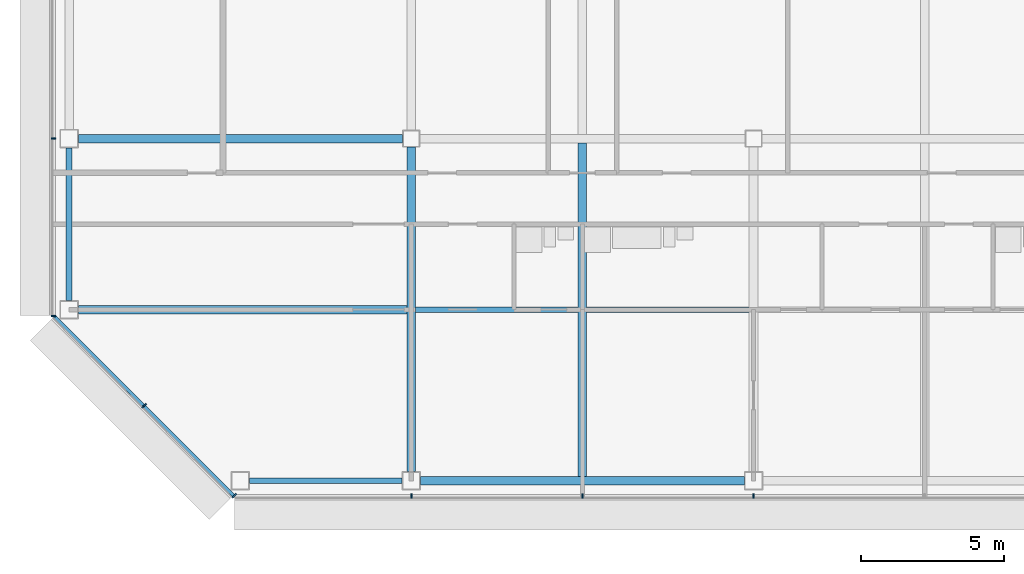
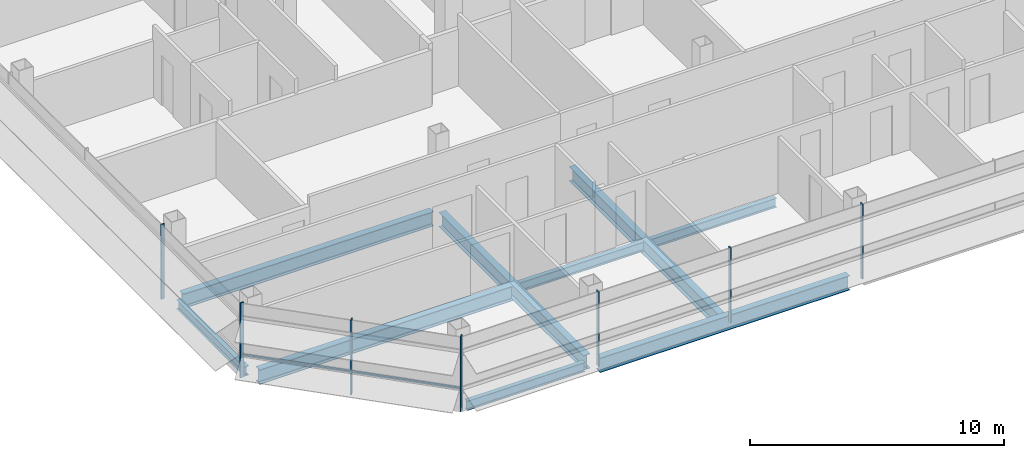
# One storey, part 2 of 27: 9 beams, 8 members, 3 elements without a shape of their own.
"""IFC4 building model written with IfcOpenShell, lengths in metres."""

from ifc_helpers import new_model, si_unit, direction, frame, origin, origin_2d, place, context, subcontext, project, spatial, rectangle, i_section, extrude, material, material_profile, profile_set, type_object, element, aggregate, save


model = new_model("IFC4")

# Units and contexts
model_context = context("Model", 3, precision=1e-05, world=origin(), true_north=direction((0.0, 1.0)))
body_context = subcontext(model_context, "Body", "Model", "MODEL_VIEW")
ifc_project = project(units=[si_unit("LENGTHUNIT", "METRE"), si_unit("AREAUNIT", "SQUARE_METRE"), si_unit("VOLUMEUNIT", "CUBIC_METRE"), si_unit("PLANEANGLEUNIT", "RADIAN"), si_unit("MASSUNIT", "GRAM", prefix="KILO")], contexts=[model_context])

# Site, building, storey
site_placement = place(None, origin())
site = spatial("IfcSite", under=ifc_project, at=site_placement, CompositionType="ELEMENT")
building_placement = place(site_placement, origin())
building = spatial("IfcBuilding", under=site, at=building_placement, Name="Sorahane Residences", CompositionType="ELEMENT")
storey_placement = place(building_placement, frame((0.0, 0.0, 226.199951171875)))
storey = spatial("IfcBuildingStorey", under=building, at=storey_placement, Name="L53", CompositionType="ELEMENT", Elevation=226.199951171875)

# Curtain wall, members
ifc_material_1 = material(Name="Dark low-e glass and black anodised aluminium", Category="aluminium")
curtain_wall_type_1 = type_object("IfcCurtainWallType", Name="Curtain wall CW-1 Typical unitised wall", PredefinedType="NOTDEFINED", material=ifc_material_1)
curtain_wall_1_placement = place(storey_placement, origin())
curtain_wall_1 = element("IfcCurtainWall", 1, at=curtain_wall_1_placement, inside=storey, type_object=curtain_wall_type_1, Name="CW-1 curtain wall L53 S1", PredefinedType="NOTDEFINED")
ifc_material_2 = material(Name="Black anodised aluminium", Category="aluminium")
ifc_material_profile_1 = material_profile(ifc_material_2, rectangle(XDim=0.159912109375, YDim=0.050048828125, at=origin_2d()), Name="Curtain wall mullion CW-1 black anodised aluminium 50x160")
ifc_profile_set_1 = profile_set([ifc_material_profile_1], Name="Black anodised aluminium")
member_type_1 = type_object("IfcMemberType", Name="Curtain wall mullion CW-1 black anodised aluminium 50x160", PredefinedType="MULLION", material=ifc_profile_set_1)
member_1_placement = place(storey_placement, frame((0.0, -0.5400390625, -0.179931640625), z_axis=(0.0, 0.0, 1.0), x_axis=(0.0, -1.0, 0.0)))
member_1 = element("IfcMember", 2, at=member_1_placement, type_object=member_type_1, Name="CW-1 mullion L53 S1.2", PredefinedType="MULLION", context=body_context, shape_type="SweptSolid", body=[
    extrude(rectangle(XDim=0.159912109375, YDim=0.050048828125, at=origin_2d()), origin(), (0.0, 0.0, 1.0), 3.60009765625),
])
member_2_placement = place(storey_placement, frame((6.0, -0.5400390625, -0.179931640625), z_axis=(0.0, 0.0, 1.0), x_axis=(0.0, -1.0, 0.0)))
member_2 = element("IfcMember", 3, at=member_2_placement, type_object=member_type_1, Name="CW-1 mullion L53 S1.3", PredefinedType="MULLION", context=body_context, shape_type="SweptSolid", body=[
    extrude(rectangle(XDim=0.159912109375, YDim=0.050048828125, at=origin_2d()), origin(), (0.0, 0.0, 1.0), 3.60009765625),
])
member_3_placement = place(storey_placement, frame((12.0, -0.5400390625, -0.179931640625), z_axis=(0.0, 0.0, 1.0), x_axis=(0.0, -1.0, 0.0)))
member_3 = element("IfcMember", 4, at=member_3_placement, type_object=member_type_1, Name="CW-1 mullion L53 S1.4", PredefinedType="MULLION", context=body_context, shape_type="SweptSolid", body=[
    extrude(rectangle(XDim=0.159912109375, YDim=0.050048828125, at=origin_2d()), origin(), (0.0, 0.0, 1.0), 3.60009765625),
])
aggregate(curtain_wall_1, [member_1, member_2, member_3])

curtain_wall_2_placement = place(storey_placement, origin())
curtain_wall_2 = element("IfcCurtainWall", 5, at=curtain_wall_2_placement, inside=storey, type_object=curtain_wall_type_1, Name="CW-1 curtain wall L53 W1", PredefinedType="NOTDEFINED")
member_4_placement = place(storey_placement, frame((-12.5400390625, 12.0, -0.179931640625), z_axis=(0.0, 0.0, 1.0), x_axis=(-1.0, 0.0, 0.0)))
member_4 = element("IfcMember", 6, at=member_4_placement, type_object=member_type_1, Name="CW-1 mullion L53 W1.6", PredefinedType="MULLION", context=body_context, shape_type="SweptSolid", body=[
    extrude(rectangle(XDim=0.159912109375, YDim=0.050048828125, at=origin_2d()), origin(), (0.0, 0.0, 1.0), 3.60009765625),
])
member_5_placement = place(storey_placement, frame((-12.5400390625, 5.7763671875, -0.179931640625), z_axis=(0.0, 0.0, 1.0), x_axis=(-1.0, 0.0, 0.0)))
member_5 = element("IfcMember", 7, at=member_5_placement, type_object=member_type_1, Name="CW-1 mullion L53 W1.7", PredefinedType="MULLION", context=body_context, shape_type="SweptSolid", body=[
    extrude(rectangle(XDim=0.159912109375, YDim=0.050048828125, at=origin_2d()), origin(), (0.0, 0.0, 1.0), 3.60009765625),
])
aggregate(curtain_wall_2, [member_4, member_5])

ifc_material_3 = material(Name="Dark low-e glass and black anodised aluminium", Category="aluminium")
curtain_wall_type_2 = type_object("IfcCurtainWallType", Name="Curtain wall CW-2 Chamfer unitised wall", PredefinedType="NOTDEFINED", material=ifc_material_3)
curtain_wall_3_placement = place(storey_placement, origin())
curtain_wall_3 = element("IfcCurtainWall", 8, at=curtain_wall_3_placement, inside=storey, type_object=curtain_wall_type_2, Name="CW-2 curtain wall L53 SW1", PredefinedType="NOTDEFINED")
ifc_material_4 = material(Name="Black anodised aluminium", Category="aluminium")
ifc_material_profile_2 = material_profile(ifc_material_4, rectangle(XDim=0.199951171875, YDim=0.050048828125, at=origin_2d()), Name="Curtain wall mullion CW-2 black anodised aluminium 50x200")
ifc_profile_set_2 = profile_set([ifc_material_profile_2], Name="Black anodised aluminium")
member_type_2 = type_object("IfcMemberType", Name="Curtain wall mullion CW-2 black anodised aluminium 50x200", PredefinedType="MULLION", material=ifc_profile_set_2)
member_6_placement = place(storey_placement, frame((-9.36767578125, 2.63232421875, -0.179931640625), z_axis=(0.0, 0.0, 1.0), x_axis=(-0.707106781187, -0.707106781187, 0.0)))
member_6 = element("IfcMember", 9, at=member_6_placement, type_object=member_type_2, Name="CW-2 mullion L53 SW1.2", PredefinedType="MULLION", context=body_context, shape_type="SweptSolid", body=[
    extrude(rectangle(XDim=0.199951171875, YDim=0.050048828125, at=origin_2d()), origin(), (0.0, 0.0, 1.0), 3.60009765625),
])
member_7_placement = place(storey_placement, frame((-6.209716796875, -0.525634765625, -0.179931640625), z_axis=(0.0, 0.0, 1.0), x_axis=(-0.707106781187, -0.707106781187, 0.0)))
member_7 = element("IfcMember", 10, at=member_7_placement, type_object=member_type_2, Name="CW-2 mullion L53 SW1.3", PredefinedType="MULLION", context=body_context, shape_type="SweptSolid", body=[
    extrude(rectangle(XDim=0.199951171875, YDim=0.050048828125, at=origin_2d()), origin(), (0.0, 0.0, 1.0), 3.60009765625),
])
ifc_material_5 = material(Name="Black anodised aluminium", Category="aluminium")
ifc_material_profile_3 = material_profile(ifc_material_5, rectangle(XDim=0.10009765625, YDim=0.06005859375, at=origin_2d()), Name="Curtain wall transom CW-2 black anodised aluminium 60x100")
ifc_profile_set_3 = profile_set([ifc_material_profile_3], Name="Black anodised aluminium")
member_type_3 = type_object("IfcMemberType", Name="Curtain wall transom CW-2 black anodised aluminium 60x100", PredefinedType="USERDEFINED", material=ifc_profile_set_3)
member_8_placement = place(storey_placement, frame((-12.51513671875, 5.765625, 0.900146484375), z_axis=(0.707106781187, -0.707106781187, 0.0), x_axis=(0.707106781187, 0.707106781187, 0.0)))
member_8 = element("IfcMember", 11, at=member_8_placement, type_object=member_type_3, Name="CW-2 transom L53 SW1", ObjectType="TRANSOM", PredefinedType="USERDEFINED", context=body_context, shape_type="SweptSolid", body=[
    extrude(rectangle(XDim=0.10009765625, YDim=0.06005859375, at=origin_2d()), origin(), (0.0, 0.0, 1.0), 8.88232421875),
])
aggregate(curtain_wall_3, [member_6, member_7, member_8])

# Beams
ifc_material_6 = material(Name="Steel Q355B", Category="steel")
ifc_material_profile_4 = material_profile(ifc_material_6, i_section(OverallWidth=0.199951171875, OverallDepth=0.449951171875, WebThickness=0.009033203125, FlangeThickness=0.013916015625, FilletRadius=0.02001953125, at=origin_2d()), Name="HN 450x200x9x14")
ifc_profile_set_4 = profile_set([ifc_material_profile_4], Name="Steel Q355B")
beam_type_1 = type_object("IfcBeamType", Name="Steel floor beam HN 450x200x9x14 Q355B", PredefinedType="BEAM", material=ifc_profile_set_4)
for number, where, z_axis, x_axis, name in (
    (12, (-5.675048828125, 0.0, -0.405029296875), (1.0, 0.0, 0.0), (0.0, 1.0, 0.0), "Beam L53 000"),
    (13, (-12.0, 6.324951171875, -0.405029296875), (0.0, 1.0, 0.0), (-1.0, 0.0, 0.0), "Beam L53 020"),
):
    element("IfcBeam", number, at=place(storey_placement, frame(where, z_axis=z_axis, x_axis=x_axis)), inside=storey, type_object=beam_type_1, Name=name, PredefinedType="BEAM", context=body_context, shape_type="SweptSolid", body=[
        extrude(i_section(OverallWidth=0.199951171875, OverallDepth=0.449951171875, WebThickness=0.009033203125, FlangeThickness=0.013916015625, FilletRadius=0.02001953125, at=origin_2d()), origin(), (0.0, 0.0, 1.0), 5.35009765625),
    ])
for number, where, z_axis, x_axis, name in (
    (14, (0.14990234375, 6.0, -0.405029296875), (1.0, 0.0, 0.0), (0.0, 1.0, 0.0), "Beam L53 069"),
    (15, (6.14990234375, 6.0, -0.405029296875), (1.0, 0.0, 0.0), (0.0, 1.0, 0.0), "Beam L53 070"),
):
    element("IfcBeam", number, at=place(storey_placement, frame(where, z_axis=z_axis, x_axis=x_axis)), inside=storey, type_object=beam_type_1, Name=name, PredefinedType="BEAM", context=body_context, shape_type="SweptSolid", body=[
        extrude(i_section(OverallWidth=0.199951171875, OverallDepth=0.449951171875, WebThickness=0.009033203125, FlangeThickness=0.013916015625, FilletRadius=0.02001953125, at=origin_2d()), origin(), (0.0, 0.0, 1.0), 5.7001953125),
    ])
ifc_material_7 = material(Name="Steel Q355B", Category="steel")
ifc_material_profile_5 = material_profile(ifc_material_7, i_section(OverallWidth=0.300048828125, OverallDepth=0.699951171875, WebThickness=0.012939453125, FlangeThickness=0.02392578125, FilletRadius=0.028076171875, at=origin_2d()), Name="HN 700x300x13x24")
ifc_profile_set_5 = profile_set([ifc_material_profile_5], Name="Steel Q355B")
beam_type_2 = type_object("IfcBeamType", Name="Steel floor beam HN 700x300x13x24 Q355B", PredefinedType="BEAM", material=ifc_profile_set_5)
beam_1_placement = place(storey_placement, frame((0.324951171875, 0.0, -0.530029296875), z_axis=(1.0, 0.0, 0.0), x_axis=(0.0, 1.0, 0.0)))
element("IfcBeam", 16, at=beam_1_placement, inside=storey, type_object=beam_type_2, Name="Beam L53 001", PredefinedType="BEAM", context=body_context, shape_type="SweptSolid", body=[
    extrude(i_section(OverallWidth=0.300048828125, OverallDepth=0.699951171875, WebThickness=0.012939453125, FlangeThickness=0.02392578125, FilletRadius=0.028076171875, at=origin_2d()), origin(), (0.0, 0.0, 1.0), 11.35009765625),
])
for number, where, z_axis, x_axis, name in (
    (17, (-11.675048828125, 12.0, -0.530029296875), (1.0, 0.0, 0.0), (0.0, 1.0, 0.0), "Beam L53 005"),
    (18, (0.0, 0.324951171875, -0.530029296875), (0.0, 1.0, 0.0), (-1.0, 0.0, 0.0), "Beam L53 024"),
):
    element("IfcBeam", number, at=place(storey_placement, frame(where, z_axis=z_axis, x_axis=x_axis)), inside=storey, type_object=beam_type_2, Name=name, PredefinedType="BEAM", context=body_context, shape_type="SweptSolid", body=[
        extrude(i_section(OverallWidth=0.300048828125, OverallDepth=0.699951171875, WebThickness=0.012939453125, FlangeThickness=0.02392578125, FilletRadius=0.028076171875, at=origin_2d()), origin(), (0.0, 0.0, 1.0), 11.375),
    ])
beam_2_placement = place(storey_placement, frame((6.0, 0.14990234375, -0.530029296875), z_axis=(0.0, 1.0, 0.0), x_axis=(-1.0, 0.0, 0.0)))
element("IfcBeam", 19, at=beam_2_placement, inside=storey, type_object=beam_type_2, Name="Beam L53 028", PredefinedType="BEAM", context=body_context, shape_type="SweptSolid", body=[
    extrude(i_section(OverallWidth=0.300048828125, OverallDepth=0.699951171875, WebThickness=0.012939453125, FlangeThickness=0.02392578125, FilletRadius=0.028076171875, at=origin_2d()), origin(), (0.0, 0.0, 1.0), 11.7001953125),
])
beam_3_placement = place(storey_placement, frame((-11.675048828125, 6.0, -0.530029296875), z_axis=(1.0, 0.0, 0.0), x_axis=(0.0, 1.0, 0.0)))
element("IfcBeam", 20, at=beam_3_placement, inside=storey, type_object=beam_type_2, Name="Beam L53 068", PredefinedType="BEAM", context=body_context, shape_type="SweptSolid", body=[
    extrude(i_section(OverallWidth=0.300048828125, OverallDepth=0.699951171875, WebThickness=0.012939453125, FlangeThickness=0.02392578125, FilletRadius=0.028076171875, at=origin_2d()), origin(), (0.0, 0.0, 1.0), 11.525146484375),
])

save(model, "model.ifc")
